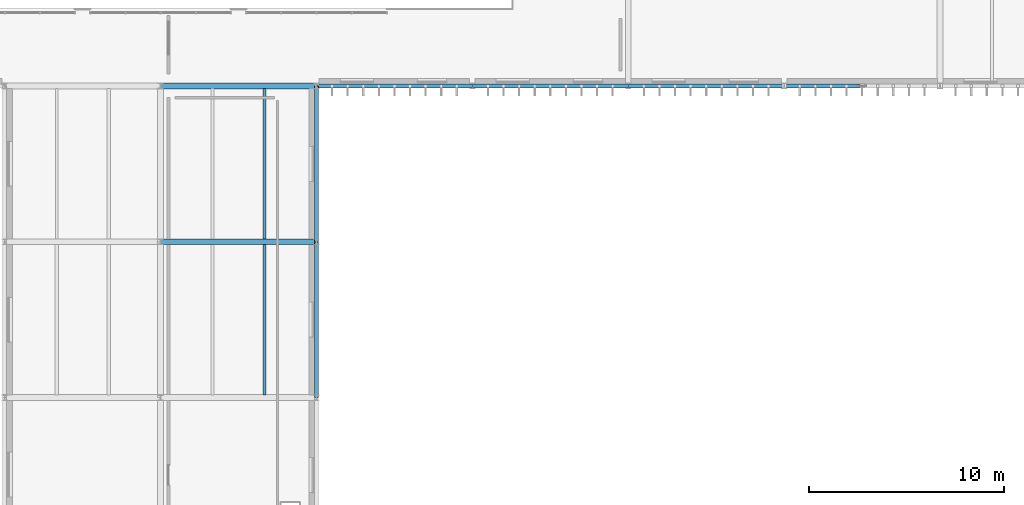
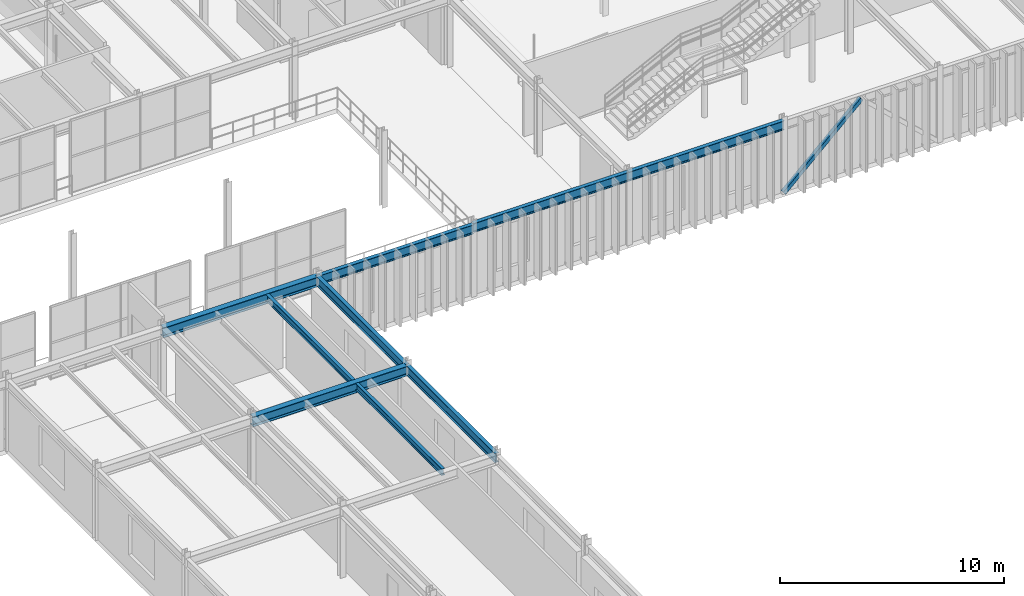
# One storey, part 46 of 122: 9 beams, 1 member.
"""IFC4 building model written with IfcOpenShell, lengths in metres."""

import ifcopenshell
import ifcopenshell.guid

model = None  # the IFC model being written
_history = None  # IfcOwnerHistory: only IFC2X3 demands one
_inside = {}  # id of a spatial element -> (the spatial element, [elements in it])
_under = {}  # id of a project, library or spatial element -> (it, [spatial elements below it])
_declared = {}  # id of a project -> (the project, [libraries it declares])
_typed = {}  # id of a type object -> (the type object, [elements of that type])
_made_of = {}  # id of a material, layer set ... -> (it, [elements and type objects made of it])


def new_model(schema):
    """Start an empty IFC model of exactly this schema.

    Asked for "IFC4X3", IfcOpenShell would pick the latest addendum, in which some entities
    have other attributes; the version numbers below select the first issue.
    IFC2X3 requires an IfcOwnerHistory on every rooted entity: one is made here for all.
    """
    global model, _history
    if schema == "IFC4X3":
        model = ifcopenshell.file(schema_version=(4, 3, 0, 0))
    else:
        model = ifcopenshell.file(schema=schema)
    _inside.clear()
    _under.clear()
    _declared.clear()
    _typed.clear()
    _made_of.clear()
    _history = None
    if model.schema == "IFC2X3":
        org = make("IfcOrganization", Name="unknown")
        user = make(
            "IfcPersonAndOrganization",
            ThePerson=make("IfcPerson", FamilyName="unknown"),
            TheOrganization=org,
        )
        app = make(
            "IfcApplication",
            ApplicationDeveloper=org,
            Version="unknown",
            ApplicationFullName="unknown",
            ApplicationIdentifier="unknown",
        )
        _history = make(
            "IfcOwnerHistory",
            OwningUser=user,
            OwningApplication=app,
            ChangeAction="ADDED",
            CreationDate=0,
        )
    return model


def make(cls, **values):
    """One entity of the class cls with the attributes given. An attribute that is None is left unset."""
    return model.create_entity(
        cls, **{name: value for name, value in values.items() if value is not None}
    )


def rooted(cls, **values):
    """An entity with a GlobalId (a new one), such as an element, a storey or a relation."""
    return make(cls, GlobalId=ifcopenshell.guid.new(), OwnerHistory=_history, **values)


def si_unit(unit_type, name, prefix=None):
    """IfcSIUnit, for example si_unit("LENGTHUNIT", "METRE", prefix="MILLI")."""
    return make("IfcSIUnit", UnitType=unit_type, Prefix=prefix, Name=name)


def assignment(units):
    """IfcUnitAssignment: the units of a project."""
    return None if units is None else make("IfcUnitAssignment", Units=units)


def point(xyz):
    """IfcCartesianPoint."""
    return None if xyz is None else make("IfcCartesianPoint", Coordinates=xyz)


def direction(xyz):
    """IfcDirection."""
    return None if xyz is None else make("IfcDirection", DirectionRatios=xyz)


def frame(location, z_axis=None, x_axis=None):
    """IfcAxis2Placement3D, a coordinate frame: its origin and axes. An axis left out is left unset."""
    return make(
        "IfcAxis2Placement3D",
        Location=point(location),
        Axis=direction(z_axis),
        RefDirection=direction(x_axis),
    )


def frame_2d(location, x_axis=None):
    """IfcAxis2Placement2D, a coordinate frame in the plane: its origin and x axis."""
    return make(
        "IfcAxis2Placement2D", Location=point(location), RefDirection=direction(x_axis)
    )


def origin():
    """The frame at (0, 0, 0) with its axes left unset."""
    return frame((0.0, 0.0, 0.0))


def origin_2d():
    """The frame at (0, 0) in the plane with its x axis left unset."""
    return frame_2d((0.0, 0.0))


def place(relative_to, where):
    """IfcLocalPlacement: puts the frame where relative to a parent placement (None: the world)."""
    return make(
        "IfcLocalPlacement", PlacementRelTo=relative_to, RelativePlacement=where
    )


def context(
    kind, dimensions, precision=None, world=None, true_north=None, identifier=None
):
    """IfcGeometricRepresentationContext, for example the 3D "Model" context."""
    return make(
        "IfcGeometricRepresentationContext",
        ContextIdentifier=identifier,
        ContextType=kind,
        CoordinateSpaceDimension=dimensions,
        Precision=precision,
        WorldCoordinateSystem=world,
        TrueNorth=true_north,
    )


def subcontext(parent, identifier, kind, view, scale=None):
    """IfcGeometricRepresentationSubContext, for example "Body" below "Model"."""
    return make(
        "IfcGeometricRepresentationSubContext",
        ContextIdentifier=identifier,
        ContextType=kind,
        ParentContext=parent,
        TargetScale=scale,
        TargetView=view,
    )


def project(units=None, contexts=None):
    """IfcProject with its units and contexts."""
    return rooted(
        "IfcProject",
        Name="project",
        RepresentationContexts=contexts,
        UnitsInContext=assignment(units),
    )


def spatial(cls, under=None, at=None, **own):
    """A site, building, storey or space (cls), placed at a placement, below another one or the project."""
    s = rooted(cls, ObjectPlacement=at, **own)
    if under is not None:
        _under.setdefault(under.id(), (under, []))[1].append(s)
    return s


def profile(cls, at=None, kind="AREA", **sizes):
    """A parametric profile (cls). Its sizes go by their IFC names, for example OverallWidth=200.0."""
    return make(cls, ProfileType=kind, Position=at, **sizes)


def hollow_rectangle(**sizes):
    """IfcRectangleHollowProfileDef."""
    return profile("IfcRectangleHollowProfileDef", **sizes)


def i_section(**sizes):
    """IfcIShapeProfileDef."""
    return profile("IfcIShapeProfileDef", **sizes)


def extrude(swept, where, along, depth):
    """IfcExtrudedAreaSolid: the profile swept, set in the frame where, extruded along a direction by depth."""
    return make(
        "IfcExtrudedAreaSolid",
        SweptArea=swept,
        Position=where,
        ExtrudedDirection=direction(along),
        Depth=depth,
    )


def shape(context_of_items, identifier, shape_type, items):
    """IfcShapeRepresentation: the items that make up one representation, for example the "Body"."""
    return make(
        "IfcShapeRepresentation",
        ContextOfItems=context_of_items,
        RepresentationIdentifier=identifier,
        RepresentationType=shape_type,
        Items=items,
    )


def material(Name=None, Category=None):
    """IfcMaterial."""
    return make("IfcMaterial", Name=Name, Category=Category)


def material_profile(
    of_material, cross_section, Name=None, Category=None, Priority=None
):
    """IfcMaterialProfile: a cross section and its material."""
    return make(
        "IfcMaterialProfile",
        Name=Name,
        Material=of_material,
        Profile=cross_section,
        Priority=Priority,
        Category=Category,
    )


def profile_set(profiles, Name=None, composite=None):
    """IfcMaterialProfileSet."""
    return make(
        "IfcMaterialProfileSet",
        Name=Name,
        MaterialProfiles=profiles,
        CompositeProfile=composite,
    )


def made_of(thing, what):
    """Note that an element or type object is made of a material, layer set ...; save() writes the relation."""
    if what is not None:
        _made_of.setdefault(what.id(), (what, []))[1].append(thing)
    return thing


def type_object(cls, material=None, **own):
    """A type object (cls), such as IfcWallType, which elements share."""
    return made_of(rooted(cls, **own), material)


def element(
    cls,
    number,
    at=None,
    inside=None,
    cuts=None,
    type_object=None,
    material=None,
    context=None,
    identifier="Body",
    shape_type=None,
    held_by="IfcProductDefinitionShape",
    body=None,
    shapes=None,
    **own,
):
    """One element of the class cls, such as IfcWall. Its Tag is "e" and its number.

    at: its placement. inside: the storey or other place that contains it. cuts: it is an
    opening in that element (IfcRelVoidsElement). A single representation is given by context,
    identifier, shape_type and body (its items); several are given by shapes. held_by: the class
    of the entity that holds the representations. save() writes the other relations.
    """
    e = rooted(cls, Tag="e%d" % number, ObjectPlacement=at, **own)
    if body is not None:
        shapes = [shape(context, identifier, shape_type, body)]
    if shapes is not None:
        e.Representation = make(held_by, Representations=shapes)
    if inside is not None:
        _inside.setdefault(inside.id(), (inside, []))[1].append(e)
    if cuts is not None:
        rooted(
            "IfcRelVoidsElement", RelatingBuildingElement=cuts, RelatedOpeningElement=e
        )
    if type_object is not None:
        _typed.setdefault(type_object.id(), (type_object, []))[1].append(e)
    return made_of(e, material)


def aggregate(whole, parts):
    """IfcRelAggregates: a whole, such as a stair, and the parts it consists of."""
    return rooted("IfcRelAggregates", RelatingObject=whole, RelatedObjects=parts)


def save(model, path):
    """Write the relations noted so far, then the file.

    IfcRelAggregates (storeys below a building ...), IfcRelContainedInSpatialStructure (elements
    in a storey), IfcRelDefinesByType, IfcRelAssociatesMaterial and IfcRelDeclares: one each for
    every whole, place, type object, material and project.
    """
    for whole, parts in _under.values():
        aggregate(whole, parts)
    for where, things in _inside.values():
        rooted(
            "IfcRelContainedInSpatialStructure",
            RelatedElements=things,
            RelatingStructure=where,
        )
    for kind, things in _typed.values():
        rooted("IfcRelDefinesByType", RelatedObjects=things, RelatingType=kind)
    for what, things in _made_of.values():
        rooted("IfcRelAssociatesMaterial", RelatedObjects=things, RelatingMaterial=what)
    for by, libraries in _declared.values():
        rooted("IfcRelDeclares", RelatingContext=by, RelatedDefinitions=libraries)
    model.write(path)


model = new_model("IFC4")

# Units and contexts
model_context = context("Model", 3, precision=1e-05, world=origin(), true_north=direction((0.0, 1.0)))
body_context = subcontext(model_context, "Body", "Model", "MODEL_VIEW")
ifc_project = project(units=[si_unit("LENGTHUNIT", "METRE"), si_unit("AREAUNIT", "SQUARE_METRE"), si_unit("VOLUMEUNIT", "CUBIC_METRE"), si_unit("PLANEANGLEUNIT", "RADIAN"), si_unit("MASSUNIT", "GRAM", prefix="KILO")], contexts=[model_context])

# Site, building, storey
site_placement = place(None, origin())
site = spatial("IfcSite", under=ifc_project, at=site_placement, CompositionType="ELEMENT")
building_placement = place(site_placement, origin())
building = spatial("IfcBuilding", under=site, at=building_placement, Name="Sundkrona Museum", CompositionType="ELEMENT")
storey_placement = place(building_placement, frame((0.0, 0.0, 5.39990234375)))
storey = spatial("IfcBuildingStorey", under=building, at=storey_placement, Name="L01", CompositionType="ELEMENT", Elevation=5.39990234375)

# Beams
ifc_material = material(Name="Steel S355J2", Category="steel")
ifc_material_profile_1 = material_profile(ifc_material, i_section(OverallWidth=0.300048828125, OverallDepth=0.5400390625, WebThickness=0.012451171875, FlangeThickness=0.02392578125, FilletRadius=0.027099609375, at=origin_2d()), Name="HEA 550")
ifc_profile_set_1 = profile_set([ifc_material_profile_1], Name="Steel S355J2")
beam_type_1 = type_object("IfcBeamType", Name="B-HEA550", PredefinedType="BEAM", material=ifc_profile_set_1)
for number, where, z_axis, x_axis, name in (
    (1, (32.0, 70.0, 3.630126953125), (1.0, 0.0, 0.0), (0.0, 1.0, 0.0), "L01 Girder X-0878"),
    (2, (32.0, 78.0, 3.630126953125), (1.0, 0.0, 0.0), (0.0, 1.0, 0.0), "L01 Girder X-0885"),
):
    element("IfcBeam", number, at=place(storey_placement, frame(where, z_axis=z_axis, x_axis=x_axis)), inside=storey, type_object=beam_type_1, Name=name, PredefinedType="BEAM", context=body_context, shape_type="SweptSolid", body=[
        extrude(i_section(OverallWidth=0.300048828125, OverallDepth=0.5400390625, WebThickness=0.012451171875, FlangeThickness=0.02392578125, FilletRadius=0.027099609375, at=origin_2d()), origin(), (0.0, 0.0, 1.0), 8.0),
    ])

# Member
ifc_material_profile_2 = material_profile(ifc_material, hollow_rectangle(XDim=0.199951171875, YDim=0.199951171875, WallThickness=0.010009765625, at=origin_2d()), Name="SHS 200x200x10.0")
ifc_profile_set_2 = profile_set([ifc_material_profile_2], Name="Steel S355J2")
member_type = type_object("IfcMemberType", Name="BR-SHS200", PredefinedType="BRACE", material=ifc_profile_set_2)
member_placement = place(storey_placement, frame((64.0, 78.0, 0.0), z_axis=(0.730448607788, 0.0, 0.68296766496), x_axis=(0.0, 1.0, 0.0)))
element("IfcMember", 3, at=member_placement, inside=storey, type_object=member_type, Name="CBR-1 L01 Concentric Chevron Brace 020A", PredefinedType="BRACE", context=body_context, shape_type="SweptSolid", body=[
    extrude(hollow_rectangle(XDim=0.199951171875, YDim=0.199951171875, WallThickness=0.010009765625, at=origin_2d()), origin(), (0.0, 0.0, 1.0), 5.47607421875),
])

# Beams
ifc_material_profile_3 = material_profile(ifc_material, i_section(OverallWidth=0.169921875, OverallDepth=0.360107421875, WebThickness=0.008056640625, FlangeThickness=0.0126953125, FilletRadius=0.01806640625, at=origin_2d()), Name="IPE 360")
ifc_profile_set_3 = profile_set([ifc_material_profile_3], Name="Steel S355J2")
beam_type_2 = type_object("IfcBeamType", Name="J-IPE360", PredefinedType="JOIST", material=ifc_profile_set_3)
for number, where, z_axis, x_axis, name in (
    (4, (37.333251953125, 62.14404296875, 3.72021484375), (0.0, 1.0, 0.0), (-1.0, 0.0, 0.0), "L01 Composite Joist 0594"),
    (5, (37.333251953125, 70.14404296875, 3.72021484375), (0.0, 1.0, 0.0), (-1.0, 0.0, 0.0), "L01 Composite Joist 0596"),
):
    element("IfcBeam", number, at=place(storey_placement, frame(where, z_axis=z_axis, x_axis=x_axis)), inside=storey, type_object=beam_type_2, Name=name, PredefinedType="JOIST", context=body_context, shape_type="SweptSolid", body=[
        extrude(i_section(OverallWidth=0.169921875, OverallDepth=0.360107421875, WebThickness=0.008056640625, FlangeThickness=0.0126953125, FilletRadius=0.01806640625, at=origin_2d()), origin(), (0.0, 0.0, 1.0), 7.7119140625),
    ])
ifc_material_profile_4 = material_profile(ifc_material, i_section(OverallWidth=0.199951171875, OverallDepth=0.5, WebThickness=0.01025390625, FlangeThickness=0.01611328125, FilletRadius=0.02099609375, at=origin_2d()), Name="IPE 500")
ifc_profile_set_4 = profile_set([ifc_material_profile_4], Name="Steel S355J2")
beam_type_3 = type_object("IfcBeamType", Name="SP-IPE500", PredefinedType="SPANDREL", material=ifc_profile_set_4)
for number, where, z_axis, x_axis, name in (
    (6, (40.0, 78.0, 3.650146484375), (1.0, 0.0, 0.0), (0.0, 1.0, 0.0), "L01 Girder X-0886"),
    (7, (48.0, 78.0, 3.710205078125), (1.0, 0.0, 0.0), (0.0, 1.0, 0.0), "L01 Girder X-0887"),
    (8, (56.0, 78.0, 3.710205078125), (1.0, 0.0, 0.0), (0.0, 1.0, 0.0), "L01 Girder X-0888"),
    (9, (40.0, 62.0, 3.650146484375), (0.0, 1.0, 0.0), (-1.0, 0.0, 0.0), "L01 Girder Y-0989"),
    (10, (40.0, 70.0, 3.650146484375), (0.0, 1.0, 0.0), (-1.0, 0.0, 0.0), "L01 Girder Y-0990"),
):
    element("IfcBeam", number, at=place(storey_placement, frame(where, z_axis=z_axis, x_axis=x_axis)), inside=storey, type_object=beam_type_3, Name=name, PredefinedType="SPANDREL", context=body_context, shape_type="SweptSolid", body=[
        extrude(i_section(OverallWidth=0.199951171875, OverallDepth=0.5, WebThickness=0.01025390625, FlangeThickness=0.01611328125, FilletRadius=0.02099609375, at=origin_2d()), origin(), (0.0, 0.0, 1.0), 8.0),
    ])

save(model, "model.ifc")
